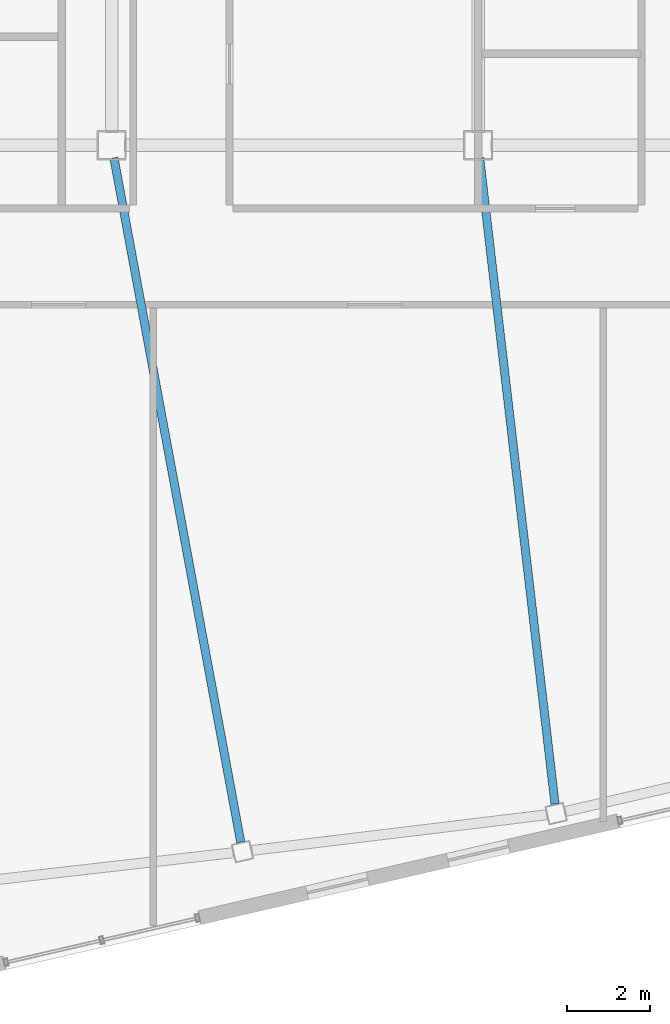
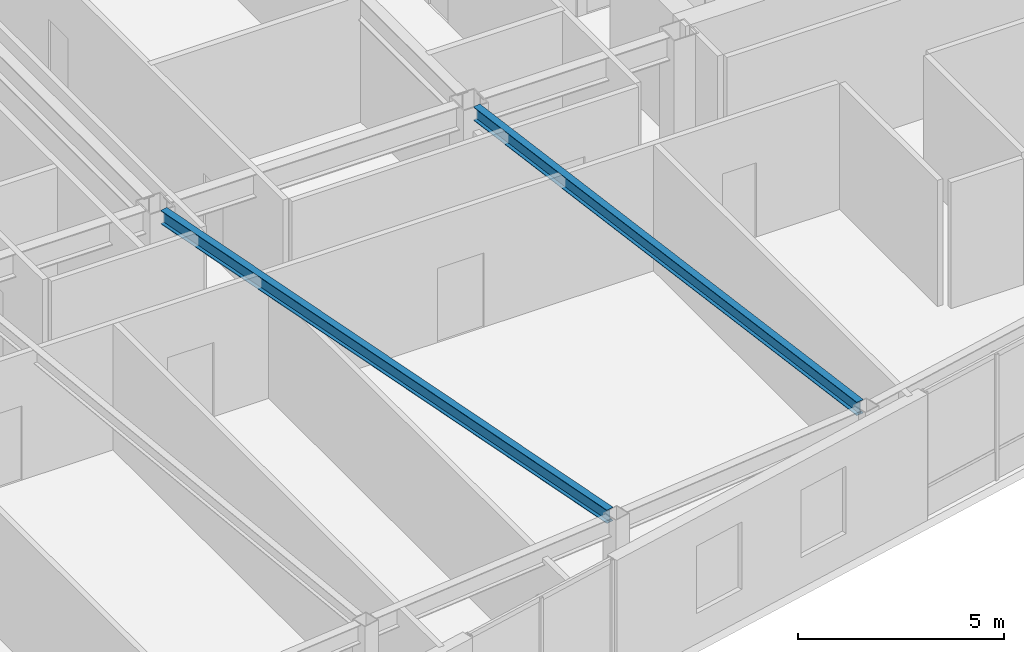
# One storey, part 9 of 23: 2 beams.
"""IFC4 building model written with IfcOpenShell, lengths in metres."""

import ifcopenshell
import ifcopenshell.guid

model = None  # the IFC model being written
_history = None  # IfcOwnerHistory: only IFC2X3 demands one
_inside = {}  # id of a spatial element -> (the spatial element, [elements in it])
_under = {}  # id of a project, library or spatial element -> (it, [spatial elements below it])
_declared = {}  # id of a project -> (the project, [libraries it declares])
_typed = {}  # id of a type object -> (the type object, [elements of that type])
_made_of = {}  # id of a material, layer set ... -> (it, [elements and type objects made of it])


def new_model(schema):
    """Start an empty IFC model of exactly this schema.

    Asked for "IFC4X3", IfcOpenShell would pick the latest addendum, in which some entities
    have other attributes; the version numbers below select the first issue.
    IFC2X3 requires an IfcOwnerHistory on every rooted entity: one is made here for all.
    """
    global model, _history
    if schema == "IFC4X3":
        model = ifcopenshell.file(schema_version=(4, 3, 0, 0))
    else:
        model = ifcopenshell.file(schema=schema)
    _inside.clear()
    _under.clear()
    _declared.clear()
    _typed.clear()
    _made_of.clear()
    _history = None
    if model.schema == "IFC2X3":
        org = make("IfcOrganization", Name="unknown")
        user = make(
            "IfcPersonAndOrganization",
            ThePerson=make("IfcPerson", FamilyName="unknown"),
            TheOrganization=org,
        )
        app = make(
            "IfcApplication",
            ApplicationDeveloper=org,
            Version="unknown",
            ApplicationFullName="unknown",
            ApplicationIdentifier="unknown",
        )
        _history = make(
            "IfcOwnerHistory",
            OwningUser=user,
            OwningApplication=app,
            ChangeAction="ADDED",
            CreationDate=0,
        )
    return model


def make(cls, **values):
    """One entity of the class cls with the attributes given. An attribute that is None is left unset."""
    return model.create_entity(
        cls, **{name: value for name, value in values.items() if value is not None}
    )


def rooted(cls, **values):
    """An entity with a GlobalId (a new one), such as an element, a storey or a relation."""
    return make(cls, GlobalId=ifcopenshell.guid.new(), OwnerHistory=_history, **values)


def si_unit(unit_type, name, prefix=None):
    """IfcSIUnit, for example si_unit("LENGTHUNIT", "METRE", prefix="MILLI")."""
    return make("IfcSIUnit", UnitType=unit_type, Prefix=prefix, Name=name)


def assignment(units):
    """IfcUnitAssignment: the units of a project."""
    return None if units is None else make("IfcUnitAssignment", Units=units)


def point(xyz):
    """IfcCartesianPoint."""
    return None if xyz is None else make("IfcCartesianPoint", Coordinates=xyz)


def direction(xyz):
    """IfcDirection."""
    return None if xyz is None else make("IfcDirection", DirectionRatios=xyz)


def frame(location, z_axis=None, x_axis=None):
    """IfcAxis2Placement3D, a coordinate frame: its origin and axes. An axis left out is left unset."""
    return make(
        "IfcAxis2Placement3D",
        Location=point(location),
        Axis=direction(z_axis),
        RefDirection=direction(x_axis),
    )


def frame_2d(location, x_axis=None):
    """IfcAxis2Placement2D, a coordinate frame in the plane: its origin and x axis."""
    return make(
        "IfcAxis2Placement2D", Location=point(location), RefDirection=direction(x_axis)
    )


def origin():
    """The frame at (0, 0, 0) with its axes left unset."""
    return frame((0.0, 0.0, 0.0))


def origin_2d():
    """The frame at (0, 0) in the plane with its x axis left unset."""
    return frame_2d((0.0, 0.0))


def place(relative_to, where):
    """IfcLocalPlacement: puts the frame where relative to a parent placement (None: the world)."""
    return make(
        "IfcLocalPlacement", PlacementRelTo=relative_to, RelativePlacement=where
    )


def context(
    kind, dimensions, precision=None, world=None, true_north=None, identifier=None
):
    """IfcGeometricRepresentationContext, for example the 3D "Model" context."""
    return make(
        "IfcGeometricRepresentationContext",
        ContextIdentifier=identifier,
        ContextType=kind,
        CoordinateSpaceDimension=dimensions,
        Precision=precision,
        WorldCoordinateSystem=world,
        TrueNorth=true_north,
    )


def subcontext(parent, identifier, kind, view, scale=None):
    """IfcGeometricRepresentationSubContext, for example "Body" below "Model"."""
    return make(
        "IfcGeometricRepresentationSubContext",
        ContextIdentifier=identifier,
        ContextType=kind,
        ParentContext=parent,
        TargetScale=scale,
        TargetView=view,
    )


def project(units=None, contexts=None):
    """IfcProject with its units and contexts."""
    return rooted(
        "IfcProject",
        Name="project",
        RepresentationContexts=contexts,
        UnitsInContext=assignment(units),
    )


def spatial(cls, under=None, at=None, **own):
    """A site, building, storey or space (cls), placed at a placement, below another one or the project."""
    s = rooted(cls, ObjectPlacement=at, **own)
    if under is not None:
        _under.setdefault(under.id(), (under, []))[1].append(s)
    return s


def profile(cls, at=None, kind="AREA", **sizes):
    """A parametric profile (cls). Its sizes go by their IFC names, for example OverallWidth=200.0."""
    return make(cls, ProfileType=kind, Position=at, **sizes)


def i_section(**sizes):
    """IfcIShapeProfileDef."""
    return profile("IfcIShapeProfileDef", **sizes)


def extrude(swept, where, along, depth):
    """IfcExtrudedAreaSolid: the profile swept, set in the frame where, extruded along a direction by depth."""
    return make(
        "IfcExtrudedAreaSolid",
        SweptArea=swept,
        Position=where,
        ExtrudedDirection=direction(along),
        Depth=depth,
    )


def shape(context_of_items, identifier, shape_type, items):
    """IfcShapeRepresentation: the items that make up one representation, for example the "Body"."""
    return make(
        "IfcShapeRepresentation",
        ContextOfItems=context_of_items,
        RepresentationIdentifier=identifier,
        RepresentationType=shape_type,
        Items=items,
    )


def material(Name=None, Category=None):
    """IfcMaterial."""
    return make("IfcMaterial", Name=Name, Category=Category)


def material_profile(
    of_material, cross_section, Name=None, Category=None, Priority=None
):
    """IfcMaterialProfile: a cross section and its material."""
    return make(
        "IfcMaterialProfile",
        Name=Name,
        Material=of_material,
        Profile=cross_section,
        Priority=Priority,
        Category=Category,
    )


def profile_set(profiles, Name=None, composite=None):
    """IfcMaterialProfileSet."""
    return make(
        "IfcMaterialProfileSet",
        Name=Name,
        MaterialProfiles=profiles,
        CompositeProfile=composite,
    )


def made_of(thing, what):
    """Note that an element or type object is made of a material, layer set ...; save() writes the relation."""
    if what is not None:
        _made_of.setdefault(what.id(), (what, []))[1].append(thing)
    return thing


def type_object(cls, material=None, **own):
    """A type object (cls), such as IfcWallType, which elements share."""
    return made_of(rooted(cls, **own), material)


def element(
    cls,
    number,
    at=None,
    inside=None,
    cuts=None,
    type_object=None,
    material=None,
    context=None,
    identifier="Body",
    shape_type=None,
    held_by="IfcProductDefinitionShape",
    body=None,
    shapes=None,
    **own,
):
    """One element of the class cls, such as IfcWall. Its Tag is "e" and its number.

    at: its placement. inside: the storey or other place that contains it. cuts: it is an
    opening in that element (IfcRelVoidsElement). A single representation is given by context,
    identifier, shape_type and body (its items); several are given by shapes. held_by: the class
    of the entity that holds the representations. save() writes the other relations.
    """
    e = rooted(cls, Tag="e%d" % number, ObjectPlacement=at, **own)
    if body is not None:
        shapes = [shape(context, identifier, shape_type, body)]
    if shapes is not None:
        e.Representation = make(held_by, Representations=shapes)
    if inside is not None:
        _inside.setdefault(inside.id(), (inside, []))[1].append(e)
    if cuts is not None:
        rooted(
            "IfcRelVoidsElement", RelatingBuildingElement=cuts, RelatedOpeningElement=e
        )
    if type_object is not None:
        _typed.setdefault(type_object.id(), (type_object, []))[1].append(e)
    return made_of(e, material)


def aggregate(whole, parts):
    """IfcRelAggregates: a whole, such as a stair, and the parts it consists of."""
    return rooted("IfcRelAggregates", RelatingObject=whole, RelatedObjects=parts)


def save(model, path):
    """Write the relations noted so far, then the file.

    IfcRelAggregates (storeys below a building ...), IfcRelContainedInSpatialStructure (elements
    in a storey), IfcRelDefinesByType, IfcRelAssociatesMaterial and IfcRelDeclares: one each for
    every whole, place, type object, material and project.
    """
    for whole, parts in _under.values():
        aggregate(whole, parts)
    for where, things in _inside.values():
        rooted(
            "IfcRelContainedInSpatialStructure",
            RelatedElements=things,
            RelatingStructure=where,
        )
    for kind, things in _typed.values():
        rooted("IfcRelDefinesByType", RelatedObjects=things, RelatingType=kind)
    for what, things in _made_of.values():
        rooted("IfcRelAssociatesMaterial", RelatedObjects=things, RelatingMaterial=what)
    for by, libraries in _declared.values():
        rooted("IfcRelDeclares", RelatingContext=by, RelatedDefinitions=libraries)
    model.write(path)


model = new_model("IFC4")

# Units and contexts
model_context = context("Model", 3, precision=1e-05, world=origin(), true_north=direction((0.0, 1.0)))
body_context = subcontext(model_context, "Body", "Model", "MODEL_VIEW")
ifc_project = project(units=[si_unit("LENGTHUNIT", "METRE"), si_unit("AREAUNIT", "SQUARE_METRE"), si_unit("VOLUMEUNIT", "CUBIC_METRE"), si_unit("PLANEANGLEUNIT", "RADIAN"), si_unit("MASSUNIT", "GRAM", prefix="KILO")], contexts=[model_context])

# Site, building, storey
site_placement = place(None, origin())
site = spatial("IfcSite", under=ifc_project, at=site_placement, CompositionType="ELEMENT")
building_placement = place(site_placement, origin())
building = spatial("IfcBuilding", under=site, at=building_placement, Name="Tavrogorsk Clinical Tower", CompositionType="ELEMENT")
storey_placement = place(building_placement, frame((0.0, 0.0, 297.0)))
storey = spatial("IfcBuildingStorey", under=building, at=storey_placement, Name="L69", CompositionType="ELEMENT", Elevation=297.0)

# Beams
ifc_material = material(Name="Structural steel S355", Category="steel")
ifc_material_profile = material_profile(ifc_material, i_section(OverallWidth=0.199951171875, OverallDepth=0.39990234375, WebThickness=0.010498046875, FlangeThickness=0.01611328125, at=origin_2d()), Name="B-400x200x10.5x16")
ifc_profile_set = profile_set([ifc_material_profile], Name="Structural steel S355")
beam_type = type_object("IfcBeamType", Name="FloorBeam_B400", PredefinedType="BEAM", material=ifc_profile_set)
beam_1_placement = place(storey_placement, frame((-4.343505859375, -6.65478515625, 3.5400390625), z_axis=(0.182181887688, -0.98326484723, 0.0), x_axis=(0.98326484723, 0.182181887688, 0.0)))
element("IfcBeam", 1, at=beam_1_placement, inside=storey, type_object=beam_type, Name="L69 Radial Floor Beam S4", PredefinedType="BEAM", context=body_context, shape_type="SweptSolid", body=[
    extrude(i_section(OverallWidth=0.199951171875, OverallDepth=0.39990234375, WebThickness=0.010498046875, FlangeThickness=0.01611328125, at=origin_2d()), origin(), (0.0, 0.0, 1.0), 16.70556640625),
])
beam_2_placement = place(storey_placement, frame((4.43603515625, -6.657958984375, 3.5400390625), z_axis=(0.115903069025, -0.993260529061, 0.0), x_axis=(0.993260529061, 0.115903069025, 0.0)))
element("IfcBeam", 2, at=beam_2_placement, inside=storey, type_object=beam_type, Name="L69 Radial Floor Beam S5", PredefinedType="BEAM", context=body_context, shape_type="SweptSolid", body=[
    extrude(i_section(OverallWidth=0.199951171875, OverallDepth=0.39990234375, WebThickness=0.010498046875, FlangeThickness=0.01611328125, at=origin_2d()), origin(), (0.0, 0.0, 1.0), 15.61279296875),
])

save(model, "model.ifc")
